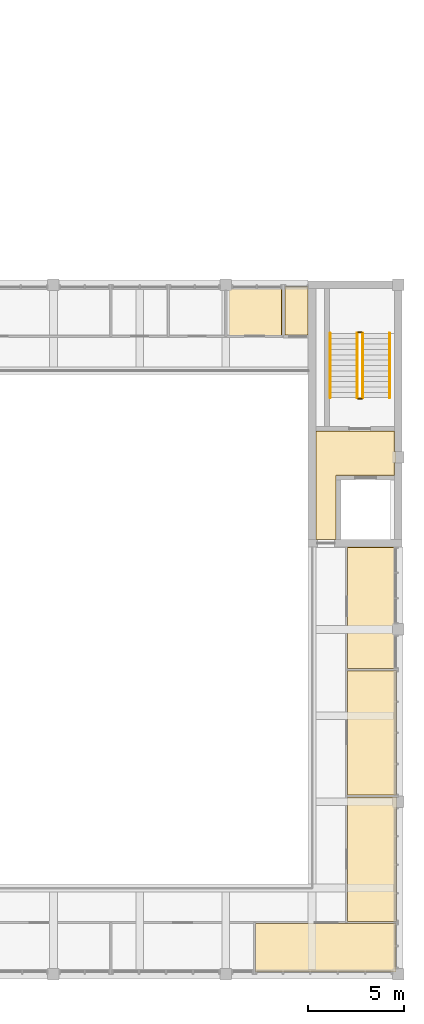
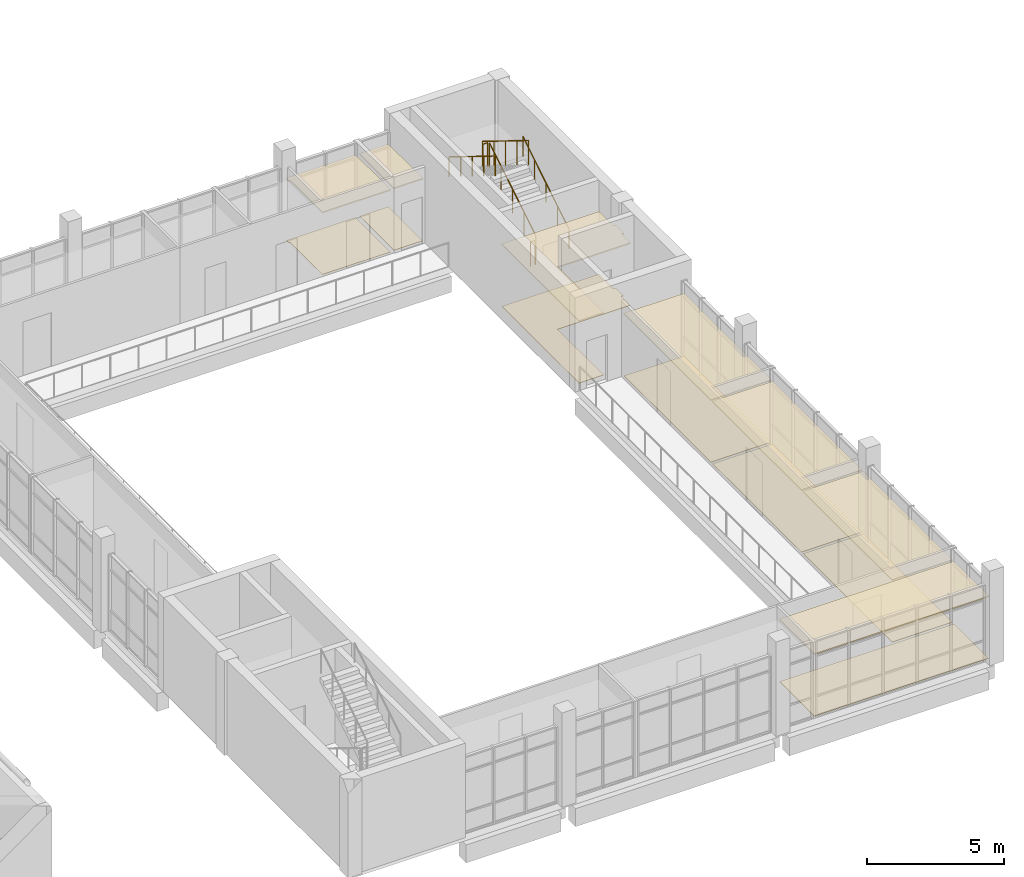
# One storey, part 74 of 92: 14 coverings, 6 railings.
"""IFC4 building model written with IfcOpenShell, lengths in metres."""

from ifc_helpers import new_model, si_unit, direction, frame, origin, origin_2d, place, context, subcontext, project, spatial, polyline, circle, outline, extrude, material, layer, layer_set, type_object, element, save


model = new_model("IFC4")

# Units and contexts
model_context = context("Model", 3, precision=1e-05, world=origin(), true_north=direction((0.0, 1.0)))
body_context = subcontext(model_context, "Body", "Model", "MODEL_VIEW")
ifc_project = project(units=[si_unit("LENGTHUNIT", "METRE"), si_unit("AREAUNIT", "SQUARE_METRE"), si_unit("VOLUMEUNIT", "CUBIC_METRE"), si_unit("PLANEANGLEUNIT", "RADIAN"), si_unit("MASSUNIT", "GRAM", prefix="KILO")], contexts=[model_context])

# Site, building, storey
site_placement = place(None, origin())
site = spatial("IfcSite", under=ifc_project, at=site_placement, CompositionType="ELEMENT")
building_placement = place(site_placement, origin())
building = spatial("IfcBuilding", under=site, at=building_placement, Name="Merrow Basin Faculty of Sciences", CompositionType="ELEMENT")
storey_placement = place(building_placement, frame((0.0, 0.0, 4.5)))
storey = spatial("IfcBuildingStorey", under=building, at=storey_placement, Name="L01", CompositionType="ELEMENT", Elevation=4.5)

# Coverings
ifc_material_1 = material(Name="Carpet tile floor")
ifc_layer_1 = layer(ifc_material_1, 0.02001953125)
ifc_layer_set_1 = layer_set([ifc_layer_1], Name="Carpet tile floor")
covering_type_1 = type_object("IfcCoveringType", Name="Carpet tile floor", PredefinedType="FLOORING", material=ifc_layer_set_1)
covering_1_placement = place(storey_placement, origin())
element("IfcCovering", 1, at=covering_1_placement, inside=storey, type_object=covering_type_1, Name="Floor finish L01-A-009", PredefinedType="FLOORING", context=body_context, shape_type="SweptSolid", body=[
    extrude(outline(polyline([(71.889892578125, 0.110107421875), (64.56005859375, 0.110107421875), (64.56005859375, 2.639892578125), (71.889892578125, 2.639892578125), (71.889892578125, 0.110107421875)])), origin(), (0.0, 0.0, 1.0), 0.02001953125),
])
covering_2_placement = place(storey_placement, origin())
element("IfcCovering", 2, at=covering_2_placement, inside=storey, type_object=covering_type_1, Name="Floor finish L01-A-010", PredefinedType="FLOORING", context=body_context, shape_type="SweptSolid", body=[
    extrude(outline(polyline([(71.889892578125, 2.760009765625), (69.360107421875, 2.760009765625), (69.360107421875, 9.239990234375), (71.889892578125, 9.239990234375), (71.889892578125, 2.760009765625)])), origin(), (0.0, 0.0, 1.0), 0.02001953125),
])
covering_3_placement = place(storey_placement, origin())
element("IfcCovering", 3, at=covering_3_placement, inside=storey, type_object=covering_type_1, Name="Floor finish L01-A-011", PredefinedType="FLOORING", context=body_context, shape_type="SweptSolid", body=[
    extrude(outline(polyline([(71.889892578125, 9.360107421875), (69.360107421875, 9.360107421875), (69.360107421875, 15.840087890625), (71.889892578125, 15.840087890625), (71.889892578125, 9.360107421875)])), origin(), (0.0, 0.0, 1.0), 0.02001953125),
])
covering_4_placement = place(storey_placement, origin())
element("IfcCovering", 4, at=covering_4_placement, inside=storey, type_object=covering_type_1, Name="Floor finish L01-A-012", PredefinedType="FLOORING", context=body_context, shape_type="SweptSolid", body=[
    extrude(outline(polyline([(71.889892578125, 15.9599609375), (69.360107421875, 15.9599609375), (69.360107421875, 22.2900390625), (71.889892578125, 22.2900390625), (71.889892578125, 15.9599609375)])), origin(), (0.0, 0.0, 1.0), 0.02001953125),
])
ifc_material_2 = material(Name="Ceramic floor tile")
ifc_layer_2 = layer(ifc_material_2, 0.02001953125)
ifc_layer_set_2 = layer_set([ifc_layer_2], Name="Ceramic floor tile")
covering_type_2 = type_object("IfcCoveringType", Name="Ceramic floor tile", PredefinedType="FLOORING", material=ifc_layer_set_2)
covering_5_placement = place(storey_placement, origin())
element("IfcCovering", 5, at=covering_5_placement, inside=storey, type_object=covering_type_2, Name="Floor finish L01-A-016", PredefinedType="FLOORING", context=body_context, shape_type="SweptSolid", body=[
    extrude(outline(polyline([(63.010009765625, 35.889892578125), (65.9150390625, 35.889892578125), (65.9150390625, 33.360107421875), (63.06005859375, 33.360107421875), (63.06005859375, 35.7099609375), (63.010009765625, 35.7099609375), (63.010009765625, 35.889892578125)])), origin(), (0.0, 0.0, 1.0), 0.02001953125),
])
ifc_material_3 = material(Name="Polished terrazzo floor")
ifc_layer_3 = layer(ifc_material_3, 0.02001953125)
ifc_layer_set_3 = layer_set([ifc_layer_3], Name="Polished terrazzo floor")
covering_type_3 = type_object("IfcCoveringType", Name="Polished terrazzo floor", PredefinedType="FLOORING", material=ifc_layer_set_3)
covering_6_placement = place(storey_placement, origin())
element("IfcCovering", 6, at=covering_6_placement, inside=storey, type_object=covering_type_3, Name="Floor finish L01-A-006", PredefinedType="FLOORING", context=body_context, shape_type="SweptSolid", body=[
    extrude(outline(polyline([(71.889892578125, 26.7099609375), (71.7900390625, 26.7099609375), (71.7900390625, 26.06005859375), (68.739990234375, 26.06005859375), (68.739990234375, 22.7099609375), (67.7099609375, 22.7099609375), (67.7099609375, 28.340087890625), (71.7900390625, 28.340087890625), (71.7900390625, 27.2900390625), (71.889892578125, 27.2900390625), (71.889892578125, 26.7099609375)])), origin(), (0.0, 0.0, 1.0), 0.02001953125),
])
ifc_material_4 = material(Name="Sealed concrete floor", Category="concrete")
ifc_layer_4 = layer(ifc_material_4, 0.02001953125)
ifc_layer_set_4 = layer_set([ifc_layer_4], Name="Sealed concrete floor")
covering_type_4 = type_object("IfcCoveringType", Name="Sealed concrete floor", PredefinedType="FLOORING", material=ifc_layer_set_4)
covering_7_placement = place(storey_placement, origin())
element("IfcCovering", 7, at=covering_7_placement, inside=storey, type_object=covering_type_4, Name="Floor finish L01-A-017", PredefinedType="FLOORING", context=body_context, shape_type="SweptSolid", body=[
    extrude(outline(polyline([(67.2900390625, 35.889892578125), (67.2900390625, 33.385009765625), (66.0849609375, 33.385009765625), (66.0849609375, 35.889892578125), (67.2900390625, 35.889892578125)])), origin(), (0.0, 0.0, 1.0), 0.02001953125),
])

# Railings
ifc_material_5 = material(Name="Steel ASTM A36", Category="steel")
railing_type_1 = type_object("IfcRailingType", Name="Steel guard 1100", PredefinedType="GUARDRAIL", material=ifc_material_5)
railing_1_placement = place(storey_placement, frame((70.14990234375, 30.10009765625, 0.173095703125)))
element("IfcRailing", 8, at=railing_1_placement, inside=storey, type_object=railing_type_1, Name="L01 ST-V3-E stair guard 1", PredefinedType="GUARDRAIL", context=body_context, shape_type="SweptSolid", body=[
    extrude(circle(Radius=0.02392578125, at=origin_2d()), frame((0.0, 0.0, 1.076171875), z_axis=(0.0, 0.850606129759, 0.525803396734), x_axis=(-1.0, 0.0, 0.0)), (0.0, 0.0, 1.0), 3.949951171875),
    extrude(circle(Radius=0.02099609375, at=origin_2d()), origin(), (0.0, 0.0, 1.0), 1.052001953125),
    extrude(circle(Radius=0.02099609375, at=origin_2d()), frame((0.0, 0.83984375, 0.519287109375)), (0.0, 0.0, 1.0), 1.052001953125),
    extrude(circle(Radius=0.02099609375, at=origin_2d()), frame((0.0, 1.679931640625, 1.03857421875)), (0.0, 0.0, 1.0), 1.052001953125),
    extrude(circle(Radius=0.02099609375, at=origin_2d()), frame((0.0, 2.52001953125, 1.5576171875)), (0.0, 0.0, 1.0), 1.052001953125),
    extrude(circle(Radius=0.02099609375, at=origin_2d()), frame((0.0, 3.35986328125, 2.076904296875)), (0.0, 0.0, 1.0), 1.052001953125),
])
railing_2_placement = place(storey_placement, frame((70.10009765625, 33.510009765625, 2.25)))
element("IfcRailing", 9, at=railing_2_placement, inside=storey, type_object=railing_type_1, Name="L01 ST-V3-E stair guard 2", PredefinedType="GUARDRAIL", context=body_context, shape_type="SweptSolid", body=[
    extrude(circle(Radius=0.02392578125, at=origin_2d()), frame((0.0, 0.0, 1.076171875), z_axis=(-1.0, 0.0, 0.0), x_axis=(0.0, -1.0, 0.0)), (0.0, 0.0, 1.0), 0.2001953125),
    extrude(circle(Radius=0.02099609375, at=origin_2d()), origin(), (0.0, 0.0, 1.0), 1.052001953125),
    extrude(circle(Radius=0.02099609375, at=origin_2d()), frame((-0.2001953125, 0.0, 0.0)), (0.0, 0.0, 1.0), 1.052001953125),
])
railing_3_placement = place(storey_placement, frame((69.85009765625, 33.4599609375, 2.423095703125)))
element("IfcRailing", 10, at=railing_3_placement, inside=storey, type_object=railing_type_1, Name="L01 ST-V3-E stair guard 3", PredefinedType="GUARDRAIL", context=body_context, shape_type="SweptSolid", body=[
    extrude(circle(Radius=0.02392578125, at=origin_2d()), frame((0.0, 0.0, 1.076171875), z_axis=(0.0, -0.850606129759, 0.525803396734), x_axis=(1.0, 0.0, 0.0)), (0.0, 0.0, 1.0), 3.949951171875),
    extrude(circle(Radius=0.02099609375, at=origin_2d()), origin(), (0.0, 0.0, 1.0), 1.052001953125),
    extrude(circle(Radius=0.02099609375, at=origin_2d()), frame((0.0, -0.83984375, 0.519287109375)), (0.0, 0.0, 1.0), 1.052001953125),
    extrude(circle(Radius=0.02099609375, at=origin_2d()), frame((0.0, -1.679931640625, 1.03857421875)), (0.0, 0.0, 1.0), 1.052001953125),
    extrude(circle(Radius=0.02099609375, at=origin_2d()), frame((0.0, -2.52001953125, 1.5576171875)), (0.0, 0.0, 1.0), 1.052001953125),
    extrude(circle(Radius=0.02099609375, at=origin_2d()), frame((0.0, -3.35986328125, 2.076904296875)), (0.0, 0.0, 1.0), 1.052001953125),
])
railing_4_placement = place(storey_placement, frame((70.10009765625, 30.050048828125, 0.0)))
element("IfcRailing", 11, at=railing_4_placement, inside=storey, type_object=railing_type_1, Name="L01 ST-V3-E stair guard 4", PredefinedType="GUARDRAIL", context=body_context, shape_type="SweptSolid", body=[
    extrude(circle(Radius=0.02392578125, at=origin_2d()), frame((0.0, 0.0, 1.076171875), z_axis=(-1.0, 0.0, 0.0), x_axis=(0.0, -1.0, 0.0)), (0.0, 0.0, 1.0), 0.2001953125),
    extrude(circle(Radius=0.02099609375, at=origin_2d()), origin(), (0.0, 0.0, 1.0), 1.052001953125),
    extrude(circle(Radius=0.02099609375, at=origin_2d()), frame((-0.2001953125, 0.0, 0.0)), (0.0, 0.0, 1.0), 1.052001953125),
])
ifc_material_6 = material(Name="Steel ASTM A36", Category="steel")
railing_type_2 = type_object("IfcRailingType", Name="Steel handrail 900", PredefinedType="HANDRAIL", material=ifc_material_6)
railing_5_placement = place(storey_placement, frame((71.550048828125, 30.10009765625, 0.173095703125)))
element("IfcRailing", 12, at=railing_5_placement, inside=storey, type_object=railing_type_2, Name="L01 ST-V3-E stair handrail 1", PredefinedType="HANDRAIL", context=body_context, shape_type="SweptSolid", body=[
    extrude(circle(Radius=0.02392578125, at=origin_2d()), frame((0.0, 0.0, 0.8759765625), z_axis=(0.0, 0.850606129759, 0.525803396734), x_axis=(-1.0, 0.0, 0.0)), (0.0, 0.0, 1.0), 3.949951171875),
    extrude(circle(Radius=0.02099609375, at=origin_2d()), origin(), (0.0, 0.0, 1.0), 0.851806640625),
    extrude(circle(Radius=0.02099609375, at=origin_2d()), frame((0.0, 0.83984375, 0.519287109375)), (0.0, 0.0, 1.0), 0.851806640625),
    extrude(circle(Radius=0.02099609375, at=origin_2d()), frame((0.0, 1.679931640625, 1.03857421875)), (0.0, 0.0, 1.0), 0.851806640625),
    extrude(circle(Radius=0.02099609375, at=origin_2d()), frame((0.0, 2.52001953125, 1.5576171875)), (0.0, 0.0, 1.0), 0.851806640625),
    extrude(circle(Radius=0.02099609375, at=origin_2d()), frame((0.0, 3.35986328125, 2.076904296875)), (0.0, 0.0, 1.0), 0.851806640625),
])
railing_6_placement = place(storey_placement, frame((68.449951171875, 33.4599609375, 2.423095703125)))
element("IfcRailing", 13, at=railing_6_placement, inside=storey, type_object=railing_type_2, Name="L01 ST-V3-E stair handrail 2", PredefinedType="HANDRAIL", context=body_context, shape_type="SweptSolid", body=[
    extrude(circle(Radius=0.02392578125, at=origin_2d()), frame((0.0, 0.0, 0.8759765625), z_axis=(0.0, -0.850606129759, 0.525803396734), x_axis=(1.0, 0.0, 0.0)), (0.0, 0.0, 1.0), 3.949951171875),
    extrude(circle(Radius=0.02099609375, at=origin_2d()), origin(), (0.0, 0.0, 1.0), 0.851806640625),
    extrude(circle(Radius=0.02099609375, at=origin_2d()), frame((0.0, -0.83984375, 0.519287109375)), (0.0, 0.0, 1.0), 0.851806640625),
    extrude(circle(Radius=0.02099609375, at=origin_2d()), frame((0.0, -1.679931640625, 1.03857421875)), (0.0, 0.0, 1.0), 0.851806640625),
    extrude(circle(Radius=0.02099609375, at=origin_2d()), frame((0.0, -2.52001953125, 1.5576171875)), (0.0, 0.0, 1.0), 0.851806640625),
    extrude(circle(Radius=0.02099609375, at=origin_2d()), frame((0.0, -3.35986328125, 2.076904296875)), (0.0, 0.0, 1.0), 0.851806640625),
])

# Coverings
ifc_material_7 = material(Name="Mineral fibre ceiling tile")
ifc_layer_5 = layer(ifc_material_7, 0.050048828125)
ifc_layer_set_5 = layer_set([ifc_layer_5], Name="Suspended acoustic ceiling tile")
covering_type_5 = type_object("IfcCoveringType", Name="Suspended acoustic ceiling tile", PredefinedType="CEILING", material=ifc_layer_set_5)
covering_8_placement = place(storey_placement, frame((0.0, 0.0, 2.75)))
element("IfcCovering", 14, at=covering_8_placement, inside=storey, type_object=covering_type_5, Name="Ceiling L01-A-006", PredefinedType="CEILING", context=body_context, shape_type="SweptSolid", body=[
    extrude(outline(polyline([(71.89990234375, 26.699951171875), (71.800048828125, 26.699951171875), (71.800048828125, 26.050048828125), (68.75, 26.050048828125), (68.75, 22.699951171875), (67.699951171875, 22.699951171875), (67.699951171875, 28.35009765625), (71.800048828125, 28.35009765625), (71.800048828125, 27.300048828125), (71.89990234375, 27.300048828125), (71.89990234375, 26.699951171875)])), origin(), (0.0, 0.0, 1.0), 0.050048828125),
])
covering_9_placement = place(storey_placement, frame((0.0, 0.0, 2.75)))
element("IfcCovering", 15, at=covering_9_placement, inside=storey, type_object=covering_type_5, Name="Ceiling L01-A-009", PredefinedType="CEILING", context=body_context, shape_type="SweptSolid", body=[
    extrude(outline(polyline([(71.89990234375, 0.10009765625), (64.550048828125, 0.10009765625), (64.550048828125, 2.64990234375), (71.89990234375, 2.64990234375), (71.89990234375, 0.10009765625)])), origin(), (0.0, 0.0, 1.0), 0.050048828125),
])
covering_10_placement = place(storey_placement, frame((0.0, 0.0, 2.75)))
element("IfcCovering", 16, at=covering_10_placement, inside=storey, type_object=covering_type_5, Name="Ceiling L01-A-010", PredefinedType="CEILING", context=body_context, shape_type="SweptSolid", body=[
    extrude(outline(polyline([(71.89990234375, 2.75), (69.35009765625, 2.75), (69.35009765625, 9.25), (71.89990234375, 9.25), (71.89990234375, 2.75)])), origin(), (0.0, 0.0, 1.0), 0.050048828125),
])
covering_11_placement = place(storey_placement, frame((0.0, 0.0, 2.75)))
element("IfcCovering", 17, at=covering_11_placement, inside=storey, type_object=covering_type_5, Name="Ceiling L01-A-011", PredefinedType="CEILING", context=body_context, shape_type="SweptSolid", body=[
    extrude(outline(polyline([(71.89990234375, 9.35009765625), (69.35009765625, 9.35009765625), (69.35009765625, 15.85009765625), (71.89990234375, 15.85009765625), (71.89990234375, 9.35009765625)])), origin(), (0.0, 0.0, 1.0), 0.050048828125),
])
covering_12_placement = place(storey_placement, frame((0.0, 0.0, 2.75)))
element("IfcCovering", 18, at=covering_12_placement, inside=storey, type_object=covering_type_5, Name="Ceiling L01-A-012", PredefinedType="CEILING", context=body_context, shape_type="SweptSolid", body=[
    extrude(outline(polyline([(71.89990234375, 15.949951171875), (69.35009765625, 15.949951171875), (69.35009765625, 22.300048828125), (71.89990234375, 22.300048828125), (71.89990234375, 15.949951171875)])), origin(), (0.0, 0.0, 1.0), 0.050048828125),
])
covering_13_placement = place(storey_placement, frame((0.0, 0.0, 2.75)))
element("IfcCovering", 19, at=covering_13_placement, inside=storey, type_object=covering_type_5, Name="Ceiling L01-A-016", PredefinedType="CEILING", context=body_context, shape_type="SweptSolid", body=[
    extrude(outline(polyline([(63.0, 35.89990234375), (65.925048828125, 35.89990234375), (65.925048828125, 33.35009765625), (63.050048828125, 33.35009765625), (63.050048828125, 35.699951171875), (63.0, 35.699951171875), (63.0, 35.89990234375)])), origin(), (0.0, 0.0, 1.0), 0.050048828125),
])
covering_14_placement = place(storey_placement, frame((0.0, 0.0, 2.75)))
element("IfcCovering", 20, at=covering_14_placement, inside=storey, type_object=covering_type_5, Name="Ceiling L01-A-017", PredefinedType="CEILING", context=body_context, shape_type="SweptSolid", body=[
    extrude(outline(polyline([(67.300048828125, 35.89990234375), (67.300048828125, 33.375), (66.074951171875, 33.375), (66.074951171875, 35.89990234375), (67.300048828125, 35.89990234375)])), origin(), (0.0, 0.0, 1.0), 0.050048828125),
])

save(model, "model.ifc")
